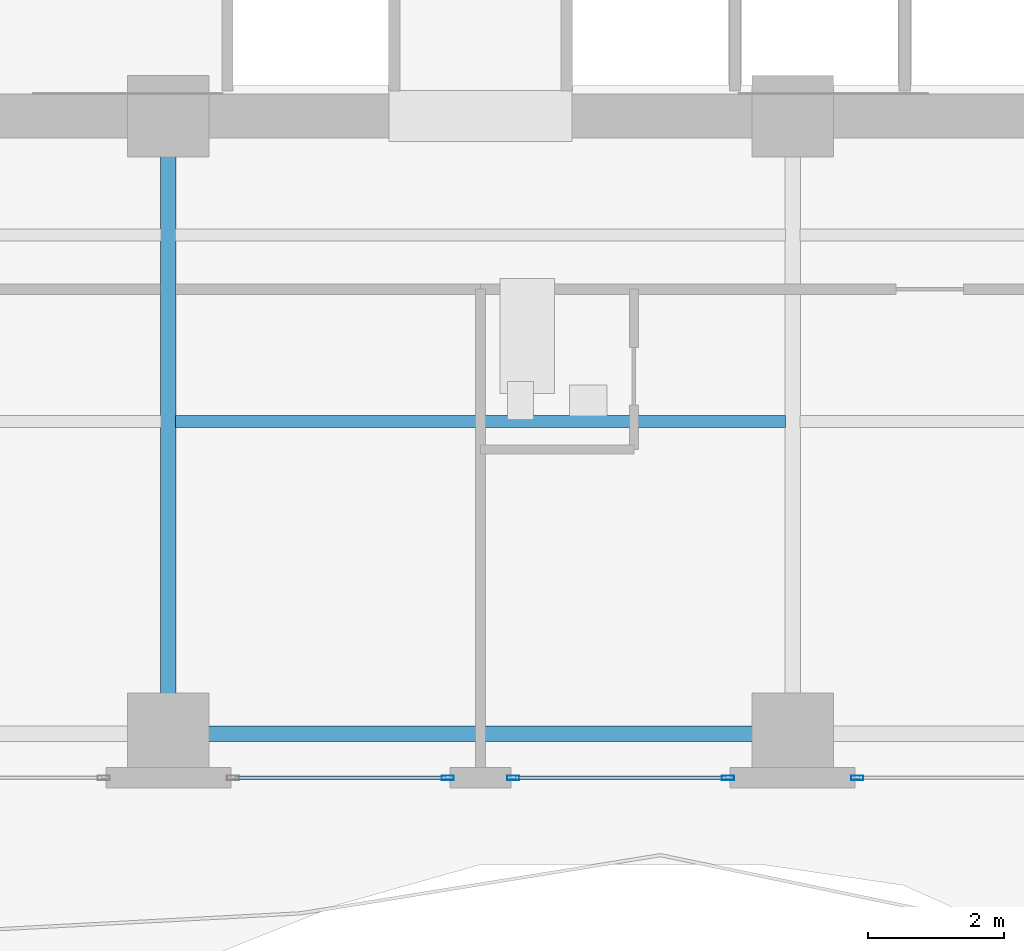
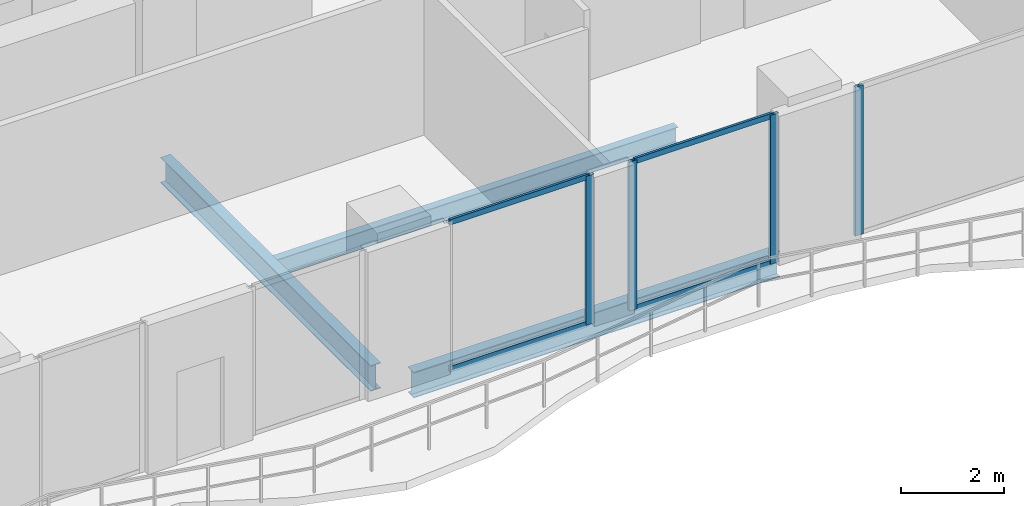
# One storey, part 6 of 33: 8 members, 3 beams, 3 elements without a shape of their own.
"""IFC4 building model written with IfcOpenShell, lengths in metres."""

from ifc_helpers import new_model, si_unit, direction, frame, origin, origin_2d, place, context, subcontext, project, spatial, hollow_rectangle, i_section, extrude, material, layer, layer_set, material_profile, profile_set, type_object, element, aggregate, save


model = new_model("IFC4")

# Units and contexts
model_context = context("Model", 3, precision=1e-05, world=origin(), true_north=direction((0.0, 1.0)))
body_context = subcontext(model_context, "Body", "Model", "MODEL_VIEW")
ifc_project = project(units=[si_unit("LENGTHUNIT", "METRE"), si_unit("AREAUNIT", "SQUARE_METRE"), si_unit("VOLUMEUNIT", "CUBIC_METRE"), si_unit("PLANEANGLEUNIT", "RADIAN"), si_unit("MASSUNIT", "GRAM", prefix="KILO")], contexts=[model_context])

# Site, building, storey
site_placement = place(None, origin())
site = spatial("IfcSite", under=ifc_project, at=site_placement, CompositionType="ELEMENT")
building_placement = place(site_placement, origin())
building = spatial("IfcBuilding", under=site, at=building_placement, Name="Zuhayl Quay Hotel", CompositionType="ELEMENT")
storey_placement = place(building_placement, frame((0.0, 0.0, 211.14990234375)))
storey = spatial("IfcBuildingStorey", under=building, at=storey_placement, Name="L53", CompositionType="ELEMENT", Elevation=211.14990234375)

# Beams
ifc_material_1 = material(Name="Steel ASTM A992 Grade 50", Category="steel")
ifc_material_profile_1 = material_profile(ifc_material_1, i_section(OverallWidth=0.22802734375, OverallDepth=0.60693359375, WebThickness=0.01123046875, FlangeThickness=0.017333984375, at=origin_2d()), Name="W24X76")
ifc_profile_set_1 = profile_set([ifc_material_profile_1], Name="Steel ASTM A992 Grade 50")
beam_type_1 = type_object("IfcBeamType", Name="BM_B3_W24X76", PredefinedType="BEAM", material=ifc_profile_set_1)
beam_1_placement = place(storey_placement, frame((-4.10009765625, -6.949951171875, -0.5234375), z_axis=(1.0, 0.0, 0.0), x_axis=(0.0, 1.0, 0.0)))
element("IfcBeam", 1, at=beam_1_placement, inside=storey, type_object=beam_type_1, Name="L53 Floor Beam RG_L53_02", PredefinedType="BEAM", context=body_context, shape_type="SweptSolid", body=[
    extrude(i_section(OverallWidth=0.22802734375, OverallDepth=0.60693359375, WebThickness=0.01123046875, FlangeThickness=0.017333984375, at=origin_2d()), origin(), (0.0, 0.0, 1.0), 8.2001953125),
])
beam_2_placement = place(storey_placement, frame((-4.60009765625, -6.449951171875, -0.5234375), z_axis=(0.0, 1.0, 0.0), x_axis=(-1.0, 0.0, 0.0)))
element("IfcBeam", 2, at=beam_2_placement, inside=storey, type_object=beam_type_1, Name="L53 Floor Beam FG_S_L53_2", PredefinedType="BEAM", context=body_context, shape_type="SweptSolid", body=[
    extrude(i_section(OverallWidth=0.22802734375, OverallDepth=0.60693359375, WebThickness=0.01123046875, FlangeThickness=0.017333984375, at=origin_2d()), origin(), (0.0, 0.0, 1.0), 8.14990234375),
])
ifc_material_profile_2 = material_profile(ifc_material_1, i_section(OverallWidth=0.177978515625, OverallDepth=0.406005859375, WebThickness=0.0078125, FlangeThickness=0.0126953125, at=origin_2d()), Name="W16X40")
ifc_profile_set_2 = profile_set([ifc_material_profile_2], Name="Steel ASTM A992 Grade 50")
beam_type_2 = type_object("IfcBeamType", Name="BM_J2B_W16X40", PredefinedType="JOIST", material=ifc_profile_set_2)
beam_3_placement = place(storey_placement, frame((-4.493896484375, -2.35009765625, -0.4228515625), z_axis=(1.0, 0.0, 0.0), x_axis=(0.0, 1.0, 0.0)))
element("IfcBeam", 3, at=beam_3_placement, inside=storey, type_object=beam_type_2, Name="L53 Floor Beam FJ_L53_7_2", PredefinedType="JOIST", context=body_context, shape_type="SweptSolid", body=[
    extrude(i_section(OverallWidth=0.177978515625, OverallDepth=0.406005859375, WebThickness=0.0078125, FlangeThickness=0.0126953125, at=origin_2d()), origin(), (0.0, 0.0, 1.0), 8.98779296875),
])

# Curtain wall, member
ifc_material_2 = material(Name="Anodised Aluminium 6063-T6", Category="aluminium")
ifc_layer = layer(ifc_material_2, 0.175048828125, Name="Anodised Aluminium 6063-T6", Category="aluminium")
ifc_layer_set = layer_set([ifc_layer], Name="Anodised Aluminium 6063-T6")
curtain_wall_type = type_object("IfcCurtainWallType", Name="CW_SYS_Z3", PredefinedType="USERDEFINED", material=ifc_layer_set)
curtain_wall_1_placement = place(storey_placement, origin())
curtain_wall_1 = element("IfcCurtainWall", 4, at=curtain_wall_1_placement, inside=storey, type_object=curtain_wall_type, Name="L53 Curtain Wall ENV_L53_S_CW2", ObjectType="UNITISED CURTAIN WALL", PredefinedType="USERDEFINED")
ifc_material_3 = material(Name="Black-anodised aluminium 6063-T6", Category="aluminium")
ifc_material_profile_3 = material_profile(ifc_material_3, hollow_rectangle(XDim=0.06494140625, YDim=0.179931640625, WallThickness=0.00341796875, at=origin_2d()), Name="ALU180X65")
ifc_profile_set_3 = profile_set([ifc_material_profile_3], Name="Black-anodised aluminium 6063-T6")
member_type_1 = type_object("IfcMemberType", Name="MB_CW_MUL_180", PredefinedType="MULLION", material=ifc_profile_set_3)
member_1_placement = place(storey_placement, frame((5.552490234375, -7.60009765625, 0.0), z_axis=(0.0, 0.0, 1.0), x_axis=(0.0, -1.0, 0.0)))
member_1 = element("IfcMember", 5, at=member_1_placement, type_object=member_type_1, Name="CW-Z3 mullion 2", PredefinedType="MULLION", context=body_context, shape_type="SweptSolid", body=[
    extrude(hollow_rectangle(XDim=0.06494140625, YDim=0.179931640625, WallThickness=0.00341796875, at=origin_2d()), origin(), (0.0, 0.0, 1.0), 3.530029296875),
])
aggregate(curtain_wall_1, [member_1])

# Curtain wall, members
curtain_wall_2_placement = place(storey_placement, origin())
curtain_wall_2 = element("IfcCurtainWall", 6, at=curtain_wall_2_placement, inside=storey, type_object=curtain_wall_type, Name="L53 Curtain Wall ENV_L53_S_CW3", ObjectType="UNITISED CURTAIN WALL", PredefinedType="USERDEFINED")
member_2_placement = place(storey_placement, frame((3.6474609375, -7.60009765625, 0.0), z_axis=(0.0, 0.0, 1.0), x_axis=(0.0, -1.0, 0.0)))
member_2 = element("IfcMember", 7, at=member_2_placement, type_object=member_type_1, Name="CW-Z3 mullion 1", PredefinedType="MULLION", context=body_context, shape_type="SweptSolid", body=[
    extrude(hollow_rectangle(XDim=0.06494140625, YDim=0.179931640625, WallThickness=0.00341796875, at=origin_2d()), origin(), (0.0, 0.0, 1.0), 3.530029296875),
])
member_3_placement = place(storey_placement, frame((0.482421875, -7.60009765625, 0.0), z_axis=(0.0, 0.0, 1.0), x_axis=(0.0, -1.0, 0.0)))
member_3 = element("IfcMember", 8, at=member_3_placement, type_object=member_type_1, Name="CW-Z3 mullion 2", PredefinedType="MULLION", context=body_context, shape_type="SweptSolid", body=[
    extrude(hollow_rectangle(XDim=0.06494140625, YDim=0.179931640625, WallThickness=0.00341796875, at=origin_2d()), origin(), (0.0, 0.0, 1.0), 3.530029296875),
])

# Curtain wall, member
curtain_wall_3_placement = place(storey_placement, origin())
curtain_wall_3 = element("IfcCurtainWall", 9, at=curtain_wall_3_placement, inside=storey, type_object=curtain_wall_type, Name="L53 Curtain Wall ENV_L53_S_CW4", ObjectType="UNITISED CURTAIN WALL", PredefinedType="USERDEFINED")
member_4_placement = place(storey_placement, frame((-0.482421875, -7.60009765625, 0.0), z_axis=(0.0, 0.0, 1.0), x_axis=(0.0, -1.0, 0.0)))
member_4 = element("IfcMember", 10, at=member_4_placement, type_object=member_type_1, Name="CW-Z3 mullion 1", PredefinedType="MULLION", context=body_context, shape_type="SweptSolid", body=[
    extrude(hollow_rectangle(XDim=0.06494140625, YDim=0.179931640625, WallThickness=0.00341796875, at=origin_2d()), origin(), (0.0, 0.0, 1.0), 3.530029296875),
])

# Member
ifc_material_profile_4 = material_profile(ifc_material_3, hollow_rectangle(XDim=0.054931640625, YDim=0.1298828125, WallThickness=0.0029296875, at=origin_2d()), Name="ALU130X55")
ifc_profile_set_4 = profile_set([ifc_material_profile_4], Name="Black-anodised aluminium 6063-T6")
member_type_2 = type_object("IfcMemberType", Name="MB_CW_TRN_130", PredefinedType="USERDEFINED", material=ifc_profile_set_4)
member_5_placement = place(storey_placement, frame((3.614990234375, -7.60009765625, 0.027587890625), z_axis=(-1.0, 0.0, 0.0), x_axis=(0.0, -1.0, 0.0)))
member_5 = element("IfcMember", 11, at=member_5_placement, type_object=member_type_2, Name="CW-Z3 transom 1.1", ObjectType="TRANSOM", PredefinedType="USERDEFINED", context=body_context, shape_type="SweptSolid", body=[
    extrude(hollow_rectangle(XDim=0.054931640625, YDim=0.1298828125, WallThickness=0.0029296875, at=origin_2d()), origin(), (0.0, 0.0, 1.0), 3.10009765625),
])

member_6_placement = place(storey_placement, frame((3.614990234375, -7.60009765625, 3.502685546875), z_axis=(-1.0, 0.0, 0.0), x_axis=(0.0, -1.0, 0.0)))
member_6 = element("IfcMember", 12, at=member_6_placement, type_object=member_type_2, Name="CW-Z3 transom 1.2", ObjectType="TRANSOM", PredefinedType="USERDEFINED", context=body_context, shape_type="SweptSolid", body=[
    extrude(hollow_rectangle(XDim=0.054931640625, YDim=0.1298828125, WallThickness=0.0029296875, at=origin_2d()), origin(), (0.0, 0.0, 1.0), 3.10009765625),
])

aggregate(curtain_wall_2, [member_2, member_3, member_5, member_6])

member_7_placement = place(storey_placement, frame((-0.514892578125, -7.60009765625, 0.027587890625), z_axis=(-1.0, 0.0, 0.0), x_axis=(0.0, -1.0, 0.0)))
member_7 = element("IfcMember", 13, at=member_7_placement, type_object=member_type_2, Name="CW-Z3 transom 1.1", ObjectType="TRANSOM", PredefinedType="USERDEFINED", context=body_context, shape_type="SweptSolid", body=[
    extrude(hollow_rectangle(XDim=0.054931640625, YDim=0.1298828125, WallThickness=0.0029296875, at=origin_2d()), origin(), (0.0, 0.0, 1.0), 3.10009765625),
])

member_8_placement = place(storey_placement, frame((-0.514892578125, -7.60009765625, 3.502685546875), z_axis=(-1.0, 0.0, 0.0), x_axis=(0.0, -1.0, 0.0)))
member_8 = element("IfcMember", 14, at=member_8_placement, type_object=member_type_2, Name="CW-Z3 transom 1.2", ObjectType="TRANSOM", PredefinedType="USERDEFINED", context=body_context, shape_type="SweptSolid", body=[
    extrude(hollow_rectangle(XDim=0.054931640625, YDim=0.1298828125, WallThickness=0.0029296875, at=origin_2d()), origin(), (0.0, 0.0, 1.0), 3.10009765625),
])

aggregate(curtain_wall_3, [member_4, member_7, member_8])

save(model, "model.ifc")
